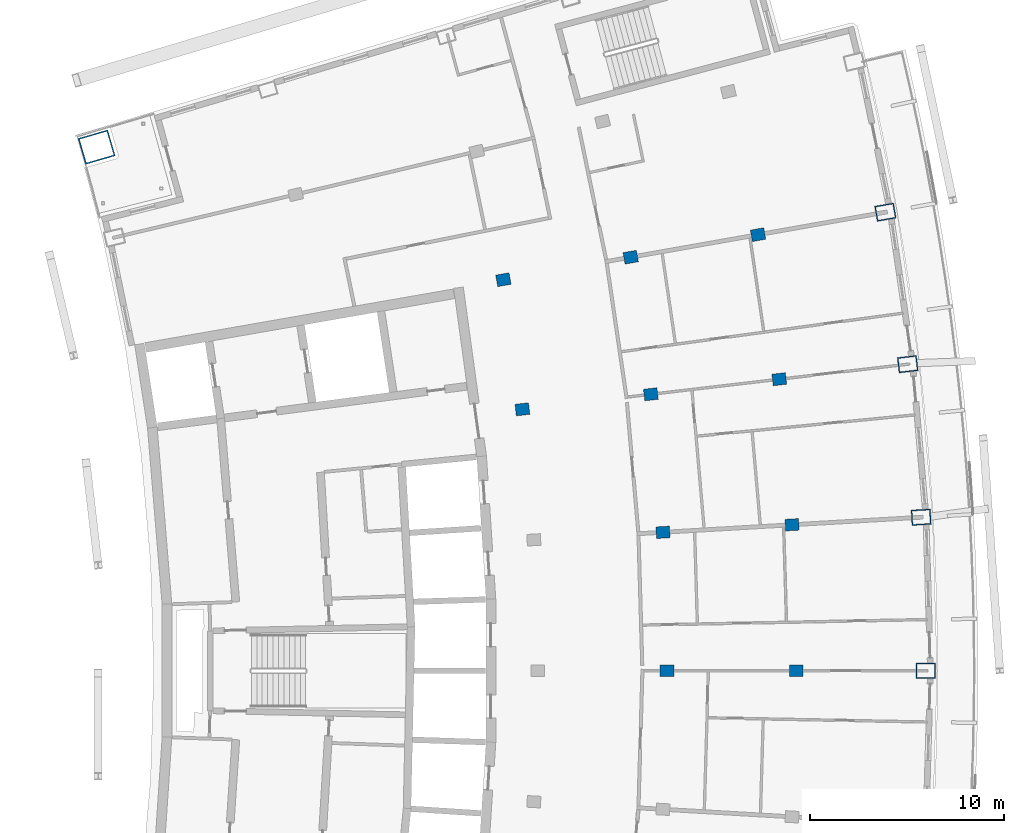
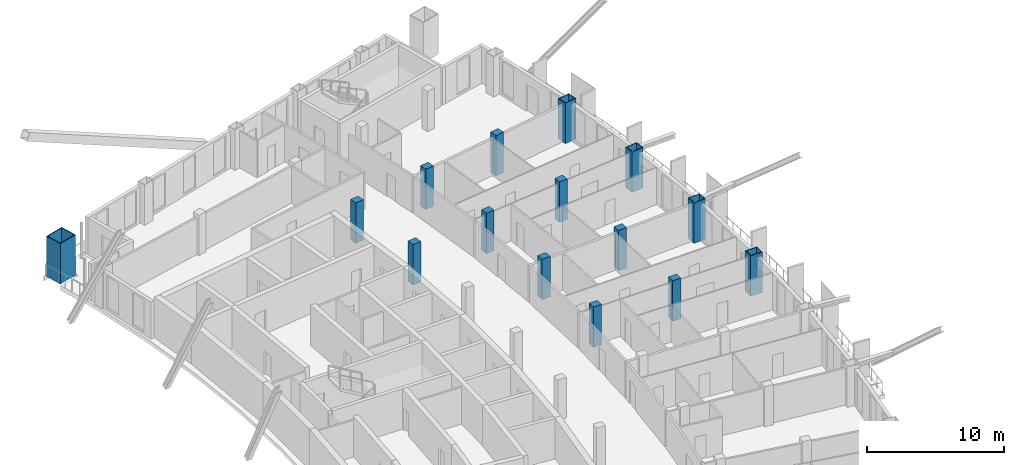
# One storey, part 4 of 17: 15 columns.
"""IFC4 building model written with IfcOpenShell, lengths in metres."""

from ifc_helpers import new_model, si_unit, direction, frame, origin, origin_2d, place, context, subcontext, project, spatial, rectangle, hollow_rectangle, extrude, material, material_profile, profile_set, type_object, element, save


model = new_model("IFC4")

# Units and contexts
model_context = context("Model", 3, precision=1e-05, world=origin(), true_north=direction((0.0, 1.0)))
body_context = subcontext(model_context, "Body", "Model", "MODEL_VIEW")
ifc_project = project(units=[si_unit("LENGTHUNIT", "METRE"), si_unit("AREAUNIT", "SQUARE_METRE"), si_unit("VOLUMEUNIT", "CUBIC_METRE"), si_unit("PLANEANGLEUNIT", "RADIAN"), si_unit("MASSUNIT", "GRAM", prefix="KILO")], contexts=[model_context])

# Site, building, storey
site_placement = place(None, origin())
site = spatial("IfcSite", under=ifc_project, at=site_placement, CompositionType="ELEMENT")
building_placement = place(site_placement, origin())
building = spatial("IfcBuilding", under=site, at=building_placement, Name="Alderwake Tower", CompositionType="ELEMENT")
storey_placement = place(building_placement, frame((0.0, 0.0, 278.0)))
storey = spatial("IfcBuildingStorey", under=building, at=storey_placement, Name="L69", CompositionType="ELEMENT", Elevation=278.0)

# Columns
ifc_material_1 = material(Name="Concrete C70/85", Category="concrete")
ifc_material_profile_1 = material_profile(ifc_material_1, rectangle(XDim=0.60009765625, YDim=0.699951171875, at=origin_2d()), Name="RC 700X600")
ifc_profile_set_1 = profile_set([ifc_material_profile_1], Name="Concrete C70/85")
column_type_1 = type_object("IfcColumnType", Name="Interior column Z5", PredefinedType="COLUMN", material=ifc_profile_set_1)
for number, where, z_axis, x_axis, name in (
    (1, (42.466796875, 61.0, 0.0), (0.0, 0.0, 1.0), (0.0, 1.0, 0.0), "Column R07-C3"),
    (2, (49.13330078125, 61.0, 0.0), (0.0, 0.0, 1.0), (0.0, 1.0, 0.0), "Column R07-C4"),
    (3, (42.25830078125, 68.139892578125, 0.0), (0.0, 0.0, 1.0), (-0.058299318924, 0.998299148258, 0.0), "Column R08-C3"),
    (4, (48.913818359375, 68.528564453125, 0.0), (0.0, 0.0, 1.0), (-0.058301061284, 0.998299046505, 0.0), "Column R08-C4"),
    (5, (35.0126953125, 74.4794921875, 0.0), (0.0, 0.0, 1.0), (-0.116402054316, 0.993202175668, 0.0), "Column R09-C2"),
    (6, (41.63427734375, 75.25537109375, 0.0), (0.0, 0.0, 1.0), (-0.116402054316, 0.993202175668, 0.0), "Column R09-C3"),
    (7, (48.255615234375, 76.031494140625, 0.0), (0.0, 0.0, 1.0), (-0.116402054316, 0.993202175668, 0.0), "Column R09-C4"),
    (8, (34.03125, 81.16162109375, 0.0), (0.0, 0.0, 1.0), (-0.174108800747, 0.984726421654, 0.0), "Column R10-C2"),
    (9, (40.59619140625, 82.322509765625, 0.0), (0.0, 0.0, 1.0), (-0.174107082075, 0.984726725529, 0.0), "Column R10-C3"),
    (10, (47.160888671875, 83.483154296875, 0.0), (0.0, 0.0, 1.0), (-0.174108800747, 0.984726421654, 0.0), "Column R10-C4"),
):
    element("IfcColumn", number, at=place(storey_placement, frame(where, z_axis=z_axis, x_axis=x_axis)), inside=storey, type_object=column_type_1, Name=name, PredefinedType="COLUMN", context=body_context, shape_type="SweptSolid", body=[
        extrude(rectangle(XDim=0.60009765625, YDim=0.699951171875, at=origin_2d()), origin(), (0.0, 0.0, 1.0), 3.60009765625),
    ])
ifc_material_2 = material(Name="Steel ASTM A572 Grade 50 concrete filled C70/85", Category="concrete")
ifc_material_profile_2 = material_profile(ifc_material_2, hollow_rectangle(XDim=1.39990234375, YDim=1.60009765625, WallThickness=0.070068359375, at=origin_2d()), Name="BOX 1600X1400X70")
ifc_profile_set_2 = profile_set([ifc_material_profile_2], Name="Steel ASTM A572 Grade 50 concrete filled C70/85")
column_type_2 = type_object("IfcColumnType", Name="Mega column Z5", PredefinedType="COLUMN", material=ifc_profile_set_2)
column_placement = place(storey_placement, frame((13.06298828125, 87.99755859375, 0.0), z_axis=(0.0, 0.0, 1.0), x_axis=(-0.278612301868, 0.960403657452, 0.0)))
element("IfcColumn", 11, at=column_placement, inside=storey, type_object=column_type_2, Name="Column R12-C0", PredefinedType="COLUMN", context=body_context, shape_type="SweptSolid", body=[
    extrude(hollow_rectangle(XDim=1.39990234375, YDim=1.60009765625, WallThickness=0.070068359375, at=origin_2d()), origin(), (0.0, 0.0, 1.0), 3.60009765625),
])
ifc_material_3 = material(Name="Steel ASTM A572 Grade 50 concrete filled C70/85", Category="concrete")
ifc_material_profile_3 = material_profile(ifc_material_3, hollow_rectangle(XDim=0.800048828125, YDim=1.0, WallThickness=0.054931640625, at=origin_2d()), Name="BOX 1000X800X55")
ifc_profile_set_3 = profile_set([ifc_material_profile_3], Name="Steel ASTM A572 Grade 50 concrete filled C70/85")
column_type_3 = type_object("IfcColumnType", Name="Perimeter column Z5", PredefinedType="COLUMN", material=ifc_profile_set_3)
for number, where, z_axis, x_axis, name in (
    (12, (55.800048828125, 61.0, 0.0), (0.0, 0.0, 1.0), (0.0, 1.0, 0.0), "Column R07-C5"),
    (13, (55.569091796875, 68.917236328125, 0.0), (0.0, 0.0, 1.0), (-0.058301061284, 0.998299046505, 0.0), "Column R08-C5"),
    (14, (54.876953125, 76.807373046875, 0.0), (0.0, 0.0, 1.0), (-0.116402054316, 0.993202175668, 0.0), "Column R09-C5"),
    (15, (53.725830078125, 84.643798828125, 0.0), (0.0, 0.0, 1.0), (-0.174108800747, 0.984726421654, 0.0), "Column R10-C5"),
):
    element("IfcColumn", number, at=place(storey_placement, frame(where, z_axis=z_axis, x_axis=x_axis)), inside=storey, type_object=column_type_3, Name=name, PredefinedType="COLUMN", context=body_context, shape_type="SweptSolid", body=[
        extrude(hollow_rectangle(XDim=0.800048828125, YDim=1.0, WallThickness=0.054931640625, at=origin_2d()), origin(), (0.0, 0.0, 1.0), 3.60009765625),
    ])

save(model, "model.ifc")
